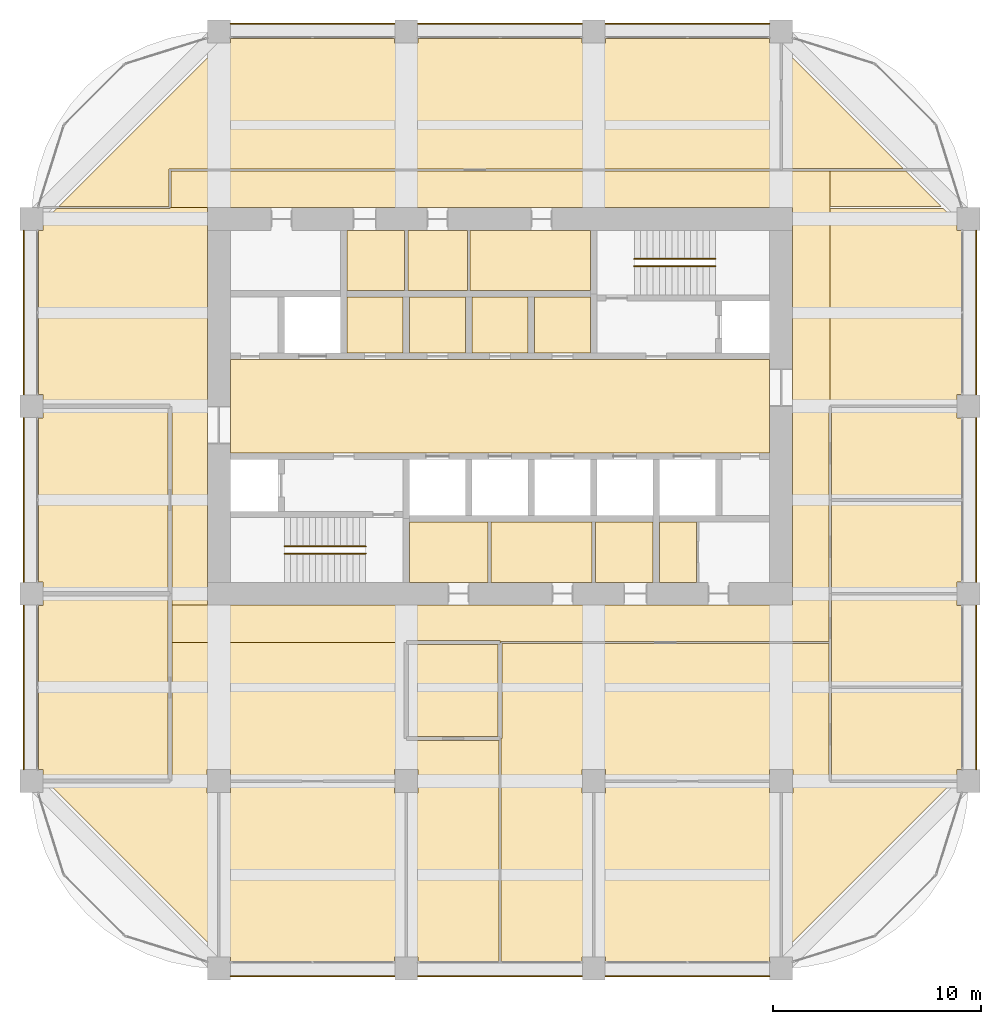
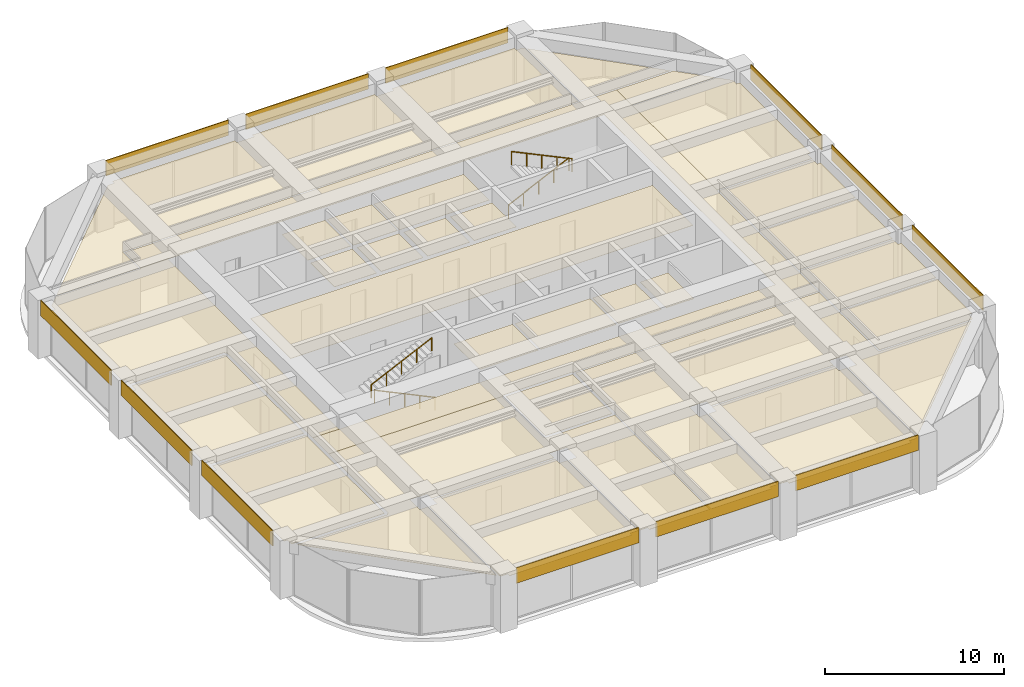
# One storey, part 44 of 44: 41 coverings, 4 railings.
"""IFC4 building model written with IfcOpenShell, lengths in metres."""

import ifcopenshell
import ifcopenshell.guid

model = None  # the IFC model being written
_history = None  # IfcOwnerHistory: only IFC2X3 demands one
_inside = {}  # id of a spatial element -> (the spatial element, [elements in it])
_under = {}  # id of a project, library or spatial element -> (it, [spatial elements below it])
_declared = {}  # id of a project -> (the project, [libraries it declares])
_typed = {}  # id of a type object -> (the type object, [elements of that type])
_made_of = {}  # id of a material, layer set ... -> (it, [elements and type objects made of it])


def new_model(schema):
    """Start an empty IFC model of exactly this schema.

    Asked for "IFC4X3", IfcOpenShell would pick the latest addendum, in which some entities
    have other attributes; the version numbers below select the first issue.
    IFC2X3 requires an IfcOwnerHistory on every rooted entity: one is made here for all.
    """
    global model, _history
    if schema == "IFC4X3":
        model = ifcopenshell.file(schema_version=(4, 3, 0, 0))
    else:
        model = ifcopenshell.file(schema=schema)
    _inside.clear()
    _under.clear()
    _declared.clear()
    _typed.clear()
    _made_of.clear()
    _history = None
    if model.schema == "IFC2X3":
        org = make("IfcOrganization", Name="unknown")
        user = make(
            "IfcPersonAndOrganization",
            ThePerson=make("IfcPerson", FamilyName="unknown"),
            TheOrganization=org,
        )
        app = make(
            "IfcApplication",
            ApplicationDeveloper=org,
            Version="unknown",
            ApplicationFullName="unknown",
            ApplicationIdentifier="unknown",
        )
        _history = make(
            "IfcOwnerHistory",
            OwningUser=user,
            OwningApplication=app,
            ChangeAction="ADDED",
            CreationDate=0,
        )
    return model


def make(cls, **values):
    """One entity of the class cls with the attributes given. An attribute that is None is left unset."""
    return model.create_entity(
        cls, **{name: value for name, value in values.items() if value is not None}
    )


def rooted(cls, **values):
    """An entity with a GlobalId (a new one), such as an element, a storey or a relation."""
    return make(cls, GlobalId=ifcopenshell.guid.new(), OwnerHistory=_history, **values)


def si_unit(unit_type, name, prefix=None):
    """IfcSIUnit, for example si_unit("LENGTHUNIT", "METRE", prefix="MILLI")."""
    return make("IfcSIUnit", UnitType=unit_type, Prefix=prefix, Name=name)


def assignment(units):
    """IfcUnitAssignment: the units of a project."""
    return None if units is None else make("IfcUnitAssignment", Units=units)


def point(xyz):
    """IfcCartesianPoint."""
    return None if xyz is None else make("IfcCartesianPoint", Coordinates=xyz)


def direction(xyz):
    """IfcDirection."""
    return None if xyz is None else make("IfcDirection", DirectionRatios=xyz)


def frame(location, z_axis=None, x_axis=None):
    """IfcAxis2Placement3D, a coordinate frame: its origin and axes. An axis left out is left unset."""
    return make(
        "IfcAxis2Placement3D",
        Location=point(location),
        Axis=direction(z_axis),
        RefDirection=direction(x_axis),
    )


def frame_2d(location, x_axis=None):
    """IfcAxis2Placement2D, a coordinate frame in the plane: its origin and x axis."""
    return make(
        "IfcAxis2Placement2D", Location=point(location), RefDirection=direction(x_axis)
    )


def origin():
    """The frame at (0, 0, 0) with its axes left unset."""
    return frame((0.0, 0.0, 0.0))


def origin_2d():
    """The frame at (0, 0) in the plane with its x axis left unset."""
    return frame_2d((0.0, 0.0))


def place(relative_to, where):
    """IfcLocalPlacement: puts the frame where relative to a parent placement (None: the world)."""
    return make(
        "IfcLocalPlacement", PlacementRelTo=relative_to, RelativePlacement=where
    )


def context(
    kind, dimensions, precision=None, world=None, true_north=None, identifier=None
):
    """IfcGeometricRepresentationContext, for example the 3D "Model" context."""
    return make(
        "IfcGeometricRepresentationContext",
        ContextIdentifier=identifier,
        ContextType=kind,
        CoordinateSpaceDimension=dimensions,
        Precision=precision,
        WorldCoordinateSystem=world,
        TrueNorth=true_north,
    )


def subcontext(parent, identifier, kind, view, scale=None):
    """IfcGeometricRepresentationSubContext, for example "Body" below "Model"."""
    return make(
        "IfcGeometricRepresentationSubContext",
        ContextIdentifier=identifier,
        ContextType=kind,
        ParentContext=parent,
        TargetScale=scale,
        TargetView=view,
    )


def project(units=None, contexts=None):
    """IfcProject with its units and contexts."""
    return rooted(
        "IfcProject",
        Name="project",
        RepresentationContexts=contexts,
        UnitsInContext=assignment(units),
    )


def spatial(cls, under=None, at=None, **own):
    """A site, building, storey or space (cls), placed at a placement, below another one or the project."""
    s = rooted(cls, ObjectPlacement=at, **own)
    if under is not None:
        _under.setdefault(under.id(), (under, []))[1].append(s)
    return s


def polyline(points):
    """IfcPolyline through the points."""
    return make("IfcPolyline", Points=[point(p) for p in points])


def profile(cls, at=None, kind="AREA", **sizes):
    """A parametric profile (cls). Its sizes go by their IFC names, for example OverallWidth=200.0."""
    return make(cls, ProfileType=kind, Position=at, **sizes)


def rectangle(**sizes):
    """IfcRectangleProfileDef."""
    return profile("IfcRectangleProfileDef", **sizes)


def circle(**sizes):
    """IfcCircleProfileDef."""
    return profile("IfcCircleProfileDef", **sizes)


def outline(outer, holes=None, kind="AREA"):
    """IfcArbitraryClosedProfileDef: a profile drawn as a closed curve; with holes, ...WithVoids."""
    if holes is None:
        return make("IfcArbitraryClosedProfileDef", ProfileType=kind, OuterCurve=outer)
    return make(
        "IfcArbitraryProfileDefWithVoids",
        ProfileType=kind,
        OuterCurve=outer,
        InnerCurves=holes,
    )


def extrude(swept, where, along, depth):
    """IfcExtrudedAreaSolid: the profile swept, set in the frame where, extruded along a direction by depth."""
    return make(
        "IfcExtrudedAreaSolid",
        SweptArea=swept,
        Position=where,
        ExtrudedDirection=direction(along),
        Depth=depth,
    )


def shape(context_of_items, identifier, shape_type, items):
    """IfcShapeRepresentation: the items that make up one representation, for example the "Body"."""
    return make(
        "IfcShapeRepresentation",
        ContextOfItems=context_of_items,
        RepresentationIdentifier=identifier,
        RepresentationType=shape_type,
        Items=items,
    )


def material(Name=None, Category=None):
    """IfcMaterial."""
    return make("IfcMaterial", Name=Name, Category=Category)


def layer(
    of_material, thickness, ventilated=None, Name=None, Category=None, Priority=None
):
    """IfcMaterialLayer: one layer of a wall or slab, of a material (None: an air gap)."""
    return make(
        "IfcMaterialLayer",
        Material=of_material,
        LayerThickness=thickness,
        IsVentilated=ventilated,
        Name=Name,
        Category=Category,
        Priority=Priority,
    )


def layer_set(layers, Name=None):
    """IfcMaterialLayerSet."""
    return make("IfcMaterialLayerSet", MaterialLayers=layers, LayerSetName=Name)


def made_of(thing, what):
    """Note that an element or type object is made of a material, layer set ...; save() writes the relation."""
    if what is not None:
        _made_of.setdefault(what.id(), (what, []))[1].append(thing)
    return thing


def type_object(cls, material=None, **own):
    """A type object (cls), such as IfcWallType, which elements share."""
    return made_of(rooted(cls, **own), material)


def element(
    cls,
    number,
    at=None,
    inside=None,
    cuts=None,
    type_object=None,
    material=None,
    context=None,
    identifier="Body",
    shape_type=None,
    held_by="IfcProductDefinitionShape",
    body=None,
    shapes=None,
    **own,
):
    """One element of the class cls, such as IfcWall. Its Tag is "e" and its number.

    at: its placement. inside: the storey or other place that contains it. cuts: it is an
    opening in that element (IfcRelVoidsElement). A single representation is given by context,
    identifier, shape_type and body (its items); several are given by shapes. held_by: the class
    of the entity that holds the representations. save() writes the other relations.
    """
    e = rooted(cls, Tag="e%d" % number, ObjectPlacement=at, **own)
    if body is not None:
        shapes = [shape(context, identifier, shape_type, body)]
    if shapes is not None:
        e.Representation = make(held_by, Representations=shapes)
    if inside is not None:
        _inside.setdefault(inside.id(), (inside, []))[1].append(e)
    if cuts is not None:
        rooted(
            "IfcRelVoidsElement", RelatingBuildingElement=cuts, RelatedOpeningElement=e
        )
    if type_object is not None:
        _typed.setdefault(type_object.id(), (type_object, []))[1].append(e)
    return made_of(e, material)


def aggregate(whole, parts):
    """IfcRelAggregates: a whole, such as a stair, and the parts it consists of."""
    return rooted("IfcRelAggregates", RelatingObject=whole, RelatedObjects=parts)


def save(model, path):
    """Write the relations noted so far, then the file.

    IfcRelAggregates (storeys below a building ...), IfcRelContainedInSpatialStructure (elements
    in a storey), IfcRelDefinesByType, IfcRelAssociatesMaterial and IfcRelDeclares: one each for
    every whole, place, type object, material and project.
    """
    for whole, parts in _under.values():
        aggregate(whole, parts)
    for where, things in _inside.values():
        rooted(
            "IfcRelContainedInSpatialStructure",
            RelatedElements=things,
            RelatingStructure=where,
        )
    for kind, things in _typed.values():
        rooted("IfcRelDefinesByType", RelatedObjects=things, RelatingType=kind)
    for what, things in _made_of.values():
        rooted("IfcRelAssociatesMaterial", RelatedObjects=things, RelatingMaterial=what)
    for by, libraries in _declared.values():
        rooted("IfcRelDeclares", RelatingContext=by, RelatedDefinitions=libraries)
    model.write(path)


model = new_model("IFC4")

# Units and contexts
model_context = context("Model", 3, precision=1e-05, world=origin(), true_north=direction((0.0, 1.0)))
body_context = subcontext(model_context, "Body", "Model", "MODEL_VIEW")
ifc_project = project(units=[si_unit("LENGTHUNIT", "METRE"), si_unit("AREAUNIT", "SQUARE_METRE"), si_unit("VOLUMEUNIT", "CUBIC_METRE"), si_unit("PLANEANGLEUNIT", "RADIAN"), si_unit("MASSUNIT", "GRAM", prefix="KILO")], contexts=[model_context])

# Site, building, storey
site_placement = place(None, origin())
site = spatial("IfcSite", under=ifc_project, at=site_placement, CompositionType="ELEMENT")
building_placement = place(site_placement, origin())
building = spatial("IfcBuilding", under=site, at=building_placement, Name="Zorevar Civic Tower", CompositionType="ELEMENT")
storey_placement = place(building_placement, frame((0.0, 0.0, 267.39990234375)))
storey = spatial("IfcBuildingStorey", under=building, at=storey_placement, Name="L65", CompositionType="ELEMENT", Elevation=267.39990234375)

# Railings
ifc_material_1 = material(Name="Black steel handrail", Category="steel")
railing_type = type_object("IfcRailingType", Name="Handrail HR1 900", PredefinedType="HANDRAIL", material=ifc_material_1)
railing_1_placement = place(storey_placement, frame((25.050048828125, 19.925048828125, 0.14306640625)))
element("IfcRailing", 1, at=railing_1_placement, inside=storey, type_object=railing_type, Name="Handrail HR1 ST1 L65", PredefinedType="HANDRAIL", context=body_context, shape_type="SweptSolid", body=[
    extrude(circle(Radius=0.02392578125, at=origin_2d()), frame((0.0, 0.0, 0.8759765625), z_axis=(-0.902885590262, 0.0, 0.429880926418), x_axis=(0.0, -1.0, 0.0)), (0.0, 0.0, 1.0), 4.319580078125),
    extrude(circle(Radius=0.02099609375, at=origin_2d()), origin(), (0.0, 0.0, 1.0), 0.851806640625),
    extrude(circle(Radius=0.02099609375, at=origin_2d()), frame((-0.97509765625, 0.0, 0.46435546875)), (0.0, 0.0, 1.0), 0.851806640625),
    extrude(circle(Radius=0.02099609375, at=origin_2d()), frame((-1.9501953125, 0.0, 0.928466796875)), (0.0, 0.0, 1.0), 0.851806640625),
    extrude(circle(Radius=0.02099609375, at=origin_2d()), frame((-2.925048828125, 0.0, 1.392578125)), (0.0, 0.0, 1.0), 0.851806640625),
    extrude(circle(Radius=0.02099609375, at=origin_2d()), frame((-3.900146484375, 0.0, 1.85693359375)), (0.0, 0.0, 1.0), 0.851806640625),
])
for number, where, name in (
    (2, (21.14990234375, 20.27490234375, 2.14306640625), "Handrail HR1 ST1 L65"),
    (3, (37.949951171875, 34.074951171875, 0.14306640625), "Handrail HR1 ST2 L65"),
):
    element("IfcRailing", number, at=place(storey_placement, frame(where)), inside=storey, type_object=railing_type, Name=name, PredefinedType="HANDRAIL", context=body_context, shape_type="SweptSolid", body=[
        extrude(circle(Radius=0.02392578125, at=origin_2d()), frame((0.0, 0.0, 0.8759765625), z_axis=(0.902885590262, 0.0, 0.429880926418), x_axis=(0.0, 1.0, 0.0)), (0.0, 0.0, 1.0), 4.319580078125),
        extrude(circle(Radius=0.02099609375, at=origin_2d()), origin(), (0.0, 0.0, 1.0), 0.851806640625),
        extrude(circle(Radius=0.02099609375, at=origin_2d()), frame((0.97509765625, 0.0, 0.46435546875)), (0.0, 0.0, 1.0), 0.851806640625),
        extrude(circle(Radius=0.02099609375, at=origin_2d()), frame((1.9501953125, 0.0, 0.928466796875)), (0.0, 0.0, 1.0), 0.851806640625),
        extrude(circle(Radius=0.02099609375, at=origin_2d()), frame((2.925048828125, 0.0, 1.392578125)), (0.0, 0.0, 1.0), 0.851806640625),
        extrude(circle(Radius=0.02099609375, at=origin_2d()), frame((3.900146484375, 0.0, 1.85693359375)), (0.0, 0.0, 1.0), 0.851806640625),
    ])
railing_2_placement = place(storey_placement, frame((41.85009765625, 33.72509765625, 2.14306640625)))
element("IfcRailing", 4, at=railing_2_placement, inside=storey, type_object=railing_type, Name="Handrail HR1 ST2 L65", PredefinedType="HANDRAIL", context=body_context, shape_type="SweptSolid", body=[
    extrude(circle(Radius=0.02392578125, at=origin_2d()), frame((0.0, 0.0, 0.8759765625), z_axis=(-0.902885590262, 0.0, 0.429880926418), x_axis=(0.0, -1.0, 0.0)), (0.0, 0.0, 1.0), 4.319580078125),
    extrude(circle(Radius=0.02099609375, at=origin_2d()), origin(), (0.0, 0.0, 1.0), 0.851806640625),
    extrude(circle(Radius=0.02099609375, at=origin_2d()), frame((-0.97509765625, 0.0, 0.46435546875)), (0.0, 0.0, 1.0), 0.851806640625),
    extrude(circle(Radius=0.02099609375, at=origin_2d()), frame((-1.9501953125, 0.0, 0.928466796875)), (0.0, 0.0, 1.0), 0.851806640625),
    extrude(circle(Radius=0.02099609375, at=origin_2d()), frame((-2.925048828125, 0.0, 1.392578125)), (0.0, 0.0, 1.0), 0.851806640625),
    extrude(circle(Radius=0.02099609375, at=origin_2d()), frame((-3.900146484375, 0.0, 1.85693359375)), (0.0, 0.0, 1.0), 0.851806640625),
])

# Coverings
ifc_material_2 = material(Name="Moisture-resistant gypsum board")
ifc_layer_1 = layer(ifc_material_2, 0.012451171875)
ifc_layer_set_1 = layer_set([ifc_layer_1], Name="Moisture-resistant ceiling SC3")
covering_type_1 = type_object("IfcCoveringType", Name="Moisture-resistant ceiling SC3", PredefinedType="CEILING", material=ifc_layer_set_1)
covering_1_placement = place(storey_placement, frame((0.0, 0.0, 3.0)))
element("IfcCovering", 5, at=covering_1_placement, inside=storey, type_object=covering_type_1, Name="Ceiling L65-05", PredefinedType="CEILING", context=body_context, shape_type="SweptSolid", body=[
    extrude(outline(polyline([(30.925048828125, 18.550048828125), (30.925048828125, 21.449951171875), (27.14990234375, 21.449951171875), (27.14990234375, 18.550048828125), (30.925048828125, 18.550048828125)])), origin(), (0.0, 0.0, 1.0), 0.0126953125),
])
covering_2_placement = place(storey_placement, frame((0.0, 0.0, 3.0)))
element("IfcCovering", 6, at=covering_2_placement, inside=storey, type_object=covering_type_1, Name="Ceiling L65-06", PredefinedType="CEILING", context=body_context, shape_type="SweptSolid", body=[
    extrude(outline(polyline([(35.925048828125, 18.550048828125), (35.925048828125, 21.449951171875), (31.074951171875, 21.449951171875), (31.074951171875, 18.550048828125), (35.925048828125, 18.550048828125)])), origin(), (0.0, 0.0, 1.0), 0.0126953125),
])
covering_3_placement = place(storey_placement, frame((0.0, 0.0, 3.0)))
element("IfcCovering", 7, at=covering_3_placement, inside=storey, type_object=covering_type_1, Name="Ceiling L65-07", PredefinedType="CEILING", context=body_context, shape_type="SweptSolid", body=[
    extrude(outline(polyline([(38.85009765625, 18.550048828125), (38.85009765625, 21.449951171875), (36.074951171875, 21.449951171875), (36.074951171875, 18.550048828125), (38.85009765625, 18.550048828125)])), origin(), (0.0, 0.0, 1.0), 0.0126953125),
])
covering_4_placement = place(storey_placement, frame((0.0, 0.0, 3.0)))
element("IfcCovering", 8, at=covering_4_placement, inside=storey, type_object=covering_type_1, Name="Ceiling L65-10", PredefinedType="CEILING", context=body_context, shape_type="SweptSolid", body=[
    extrude(outline(polyline([(26.925048828125, 32.550048828125), (26.925048828125, 35.449951171875), (24.14990234375, 35.449951171875), (24.14990234375, 32.550048828125), (26.925048828125, 32.550048828125)])), origin(), (0.0, 0.0, 1.0), 0.0126953125),
])
ifc_material_3 = material(Name="Black anodised aluminium spandrel panel", Category="aluminium")
ifc_layer_2 = layer(ifc_material_3, 0.050048828125)
ifc_layer_set_2 = layer_set([ifc_layer_2], Name="Spandrel cladding SP1")
covering_type_2 = type_object("IfcCoveringType", Name="Spandrel cladding SP1", PredefinedType="CLADDING", material=ifc_layer_set_2)
for number, where, z_axis, x_axis, name in (
    (9, (18.550048828125, -0.375, 2.9501953125), (0.0, 0.0, 1.0), (1.0, 0.0, 0.0), "Spandrel cladding L66"),
    (10, (27.550048828125, -0.375, 2.9501953125), (0.0, 0.0, 1.0), (1.0, 0.0, 0.0), "Spandrel cladding L66"),
    (11, (36.550048828125, -0.375, 2.9501953125), (0.0, 0.0, 1.0), (1.0, 0.0, 0.0), "Spandrel cladding L66"),
    (12, (18.550048828125, 45.375, 2.9501953125), (0.0, 0.0, 1.0), (1.0, 0.0, 0.0), "Spandrel cladding L66"),
    (13, (27.550048828125, 45.375, 2.9501953125), (0.0, 0.0, 1.0), (1.0, 0.0, 0.0), "Spandrel cladding L66"),
    (14, (36.550048828125, 45.375, 2.9501953125), (0.0, 0.0, 1.0), (1.0, 0.0, 0.0), "Spandrel cladding L66"),
    (15, (8.625, 9.550048828125, 2.9501953125), (0.0, 0.0, 1.0), (0.0, 1.0, 0.0), "Spandrel cladding L66"),
    (16, (8.625, 18.550048828125, 2.9501953125), (0.0, 0.0, 1.0), (0.0, 1.0, 0.0), "Spandrel cladding L66"),
    (17, (8.625, 27.550048828125, 2.9501953125), (0.0, 0.0, 1.0), (0.0, 1.0, 0.0), "Spandrel cladding L66"),
    (18, (54.375, 9.550048828125, 2.9501953125), (0.0, 0.0, 1.0), (0.0, 1.0, 0.0), "Spandrel cladding L66"),
    (19, (54.375, 18.550048828125, 2.9501953125), (0.0, 0.0, 1.0), (0.0, 1.0, 0.0), "Spandrel cladding L66"),
    (20, (54.375, 27.550048828125, 2.9501953125), (0.0, 0.0, 1.0), (0.0, 1.0, 0.0), "Spandrel cladding L66"),
):
    element("IfcCovering", number, at=place(storey_placement, frame(where, z_axis=z_axis, x_axis=x_axis)), inside=storey, type_object=covering_type_2, Name=name, PredefinedType="CLADDING", context=body_context, shape_type="SweptSolid", body=[
        extrude(rectangle(XDim=7.89990234375, YDim=0.050048828125, at=frame_2d((3.949951171875, 0.0))), origin(), (0.0, 0.0, 1.0), 1.0498046875),
    ])
ifc_material_4 = material(Name="Mineral fibre tiles on a concealed grid")
ifc_layer_3 = layer(ifc_material_4, 0.02001953125)
ifc_layer_set_3 = layer_set([ifc_layer_3], Name="Suspended ceiling SC1")
covering_type_3 = type_object("IfcCoveringType", Name="Suspended ceiling SC1", PredefinedType="CEILING", material=ifc_layer_set_3)
covering_5_placement = place(storey_placement, frame((0.0, 0.0, 3.0)))
element("IfcCovering", 21, at=covering_5_placement, inside=storey, type_object=covering_type_3, Name="Ceiling L65-08", PredefinedType="CEILING", context=body_context, shape_type="SweptSolid", body=[
    extrude(outline(polyline([(35.85009765625, 32.550048828125), (35.85009765625, 35.449951171875), (30.06005859375, 35.449951171875), (30.06005859375, 32.550048828125), (35.85009765625, 32.550048828125)])), origin(), (0.0, 0.0, 1.0), 0.02001953125),
])
covering_6_placement = place(storey_placement, frame((0.0, 0.0, 3.0)))
element("IfcCovering", 22, at=covering_6_placement, inside=storey, type_object=covering_type_3, Name="Ceiling L65-09", PredefinedType="CEILING", context=body_context, shape_type="SweptSolid", body=[
    extrude(outline(polyline([(29.93994140625, 32.550048828125), (29.93994140625, 35.449951171875), (27.074951171875, 35.449951171875), (27.074951171875, 32.550048828125), (29.93994140625, 32.550048828125)])), origin(), (0.0, 0.0, 1.0), 0.02001953125),
])
covering_7_placement = place(storey_placement, frame((0.0, 0.0, 3.0)))
element("IfcCovering", 23, at=covering_7_placement, inside=storey, type_object=covering_type_3, Name="Ceiling L65-11", PredefinedType="CEILING", context=body_context, shape_type="SweptSolid", body=[
    extrude(outline(polyline([(40.93994140625, 18.550048828125), (40.93994140625, 21.449951171875), (39.14990234375, 21.449951171875), (39.14990234375, 18.550048828125), (40.93994140625, 18.550048828125)])), origin(), (0.0, 0.0, 1.0), 0.02001953125),
])
covering_8_placement = place(storey_placement, frame((0.0, 0.0, 3.0)))
element("IfcCovering", 24, at=covering_8_placement, inside=storey, type_object=covering_type_3, Name="Ceiling L65-16", PredefinedType="CEILING", context=body_context, shape_type="SweptSolid", body=[
    extrude(outline(polyline([(44.449951171875, 24.75), (44.449951171875, 29.25), (18.550048828125, 29.25), (18.550048828125, 24.75), (44.449951171875, 24.75)])), origin(), (0.0, 0.0, 1.0), 0.02001953125),
])
covering_9_placement = place(storey_placement, frame((0.0, 0.0, 3.0)))
element("IfcCovering", 25, at=covering_9_placement, inside=storey, type_object=covering_type_3, Name="Ceiling L65-17", PredefinedType="CEILING", context=body_context, shape_type="SweptSolid", body=[
    extrude(outline(polyline([(35.85009765625, 29.550048828125), (35.85009765625, 32.25), (33.14990234375, 32.25), (33.14990234375, 29.550048828125), (35.85009765625, 29.550048828125)])), origin(), (0.0, 0.0, 1.0), 0.02001953125),
])
covering_10_placement = place(storey_placement, frame((0.0, 0.0, 3.0)))
element("IfcCovering", 26, at=covering_10_placement, inside=storey, type_object=covering_type_3, Name="Ceiling L65-18", PredefinedType="CEILING", context=body_context, shape_type="SweptSolid", body=[
    extrude(outline(polyline([(32.85009765625, 29.550048828125), (32.85009765625, 32.25), (30.14990234375, 32.25), (30.14990234375, 29.550048828125), (32.85009765625, 29.550048828125)])), origin(), (0.0, 0.0, 1.0), 0.02001953125),
])
covering_11_placement = place(storey_placement, frame((0.0, 0.0, 3.0)))
element("IfcCovering", 27, at=covering_11_placement, inside=storey, type_object=covering_type_3, Name="Ceiling L65-19", PredefinedType="CEILING", context=body_context, shape_type="SweptSolid", body=[
    extrude(outline(polyline([(29.85009765625, 29.550048828125), (29.85009765625, 32.25), (27.14990234375, 32.25), (27.14990234375, 29.550048828125), (29.85009765625, 29.550048828125)])), origin(), (0.0, 0.0, 1.0), 0.02001953125),
])
covering_12_placement = place(storey_placement, frame((0.0, 0.0, 3.0)))
element("IfcCovering", 28, at=covering_12_placement, inside=storey, type_object=covering_type_3, Name="Ceiling L65-20", PredefinedType="CEILING", context=body_context, shape_type="SweptSolid", body=[
    extrude(outline(polyline([(26.85009765625, 29.550048828125), (26.85009765625, 32.25), (24.14990234375, 32.25), (24.14990234375, 29.550048828125), (26.85009765625, 29.550048828125)])), origin(), (0.0, 0.0, 1.0), 0.02001953125),
])
covering_13_placement = place(storey_placement, frame((0.0, 0.0, 3.0)))
element("IfcCovering", 29, at=covering_13_placement, inside=storey, type_object=covering_type_3, Name="Ceiling L65-21", PredefinedType="CEILING", context=body_context, shape_type="SweptSolid", body=[
    extrude(outline(polyline([(18.06005859375, 8.43994140625), (18.56005859375, 8.43994140625), (18.56005859375, 8.93994140625), (26.43994140625, 8.93994140625), (26.43994140625, 8.43994140625), (26.93994140625, 8.43994140625), (26.93994140625, 0.56005859375), (26.43994140625, 0.56005859375), (26.43994140625, 0.35009765625), (18.56005859375, 0.35009765625), (18.56005859375, 0.56005859375), (18.147216796875, 0.56005859375), (18.06005859375, 0.647216796875), (18.06005859375, 8.43994140625)])), origin(), (0.0, 0.0, 1.0), 0.02001953125),
])
covering_14_placement = place(storey_placement, frame((0.0, 0.0, 3.0)))
element("IfcCovering", 30, at=covering_14_placement, inside=storey, type_object=covering_type_3, Name="Ceiling L65-22", PredefinedType="CEILING", context=body_context, shape_type="SweptSolid", body=[
    extrude(outline(polyline([(36.06005859375, 8.43994140625), (36.56005859375, 8.43994140625), (36.56005859375, 8.93994140625), (44.43994140625, 8.93994140625), (44.43994140625, 8.43994140625), (44.93994140625, 8.43994140625), (44.93994140625, 0.647216796875), (44.852783203125, 0.56005859375), (44.43994140625, 0.56005859375), (44.43994140625, 0.35009765625), (36.56005859375, 0.35009765625), (36.56005859375, 0.56005859375), (36.06005859375, 0.56005859375), (36.06005859375, 8.43994140625)])), origin(), (0.0, 0.0, 1.0), 0.02001953125),
])
covering_15_placement = place(storey_placement, frame((0.0, 0.0, 3.0)))
element("IfcCovering", 31, at=covering_15_placement, inside=storey, type_object=covering_type_3, Name="Ceiling L65-23", PredefinedType="CEILING", context=body_context, shape_type="SweptSolid", body=[
    extrude(outline(polyline([(9.35009765625, 9.56005859375), (9.35009765625, 17.43994140625), (9.56005859375, 17.43994140625), (9.56005859375, 17.89990234375), (15.550048828125, 17.89990234375), (15.550048828125, 9.10009765625), (9.607177734375, 9.10009765625), (9.56005859375, 9.147216796875), (9.56005859375, 9.56005859375), (9.35009765625, 9.56005859375)])), origin(), (0.0, 0.0, 1.0), 0.02001953125),
])
covering_16_placement = place(storey_placement, frame((0.0, 0.0, 3.0)))
element("IfcCovering", 32, at=covering_16_placement, inside=storey, type_object=covering_type_3, Name="Ceiling L65-24", PredefinedType="CEILING", context=body_context, shape_type="SweptSolid", body=[
    extrude(outline(polyline([(9.56005859375, 18.56005859375), (9.35009765625, 18.56005859375), (9.35009765625, 26.43994140625), (9.56005859375, 26.43994140625), (9.56005859375, 26.89990234375), (15.550048828125, 26.89990234375), (15.550048828125, 18.10009765625), (9.56005859375, 18.10009765625), (9.56005859375, 18.56005859375)])), origin(), (0.0, 0.0, 1.0), 0.02001953125),
])
covering_17_placement = place(storey_placement, frame((0.0, 0.0, 3.0)))
element("IfcCovering", 33, at=covering_17_placement, inside=storey, type_object=covering_type_3, Name="Ceiling L65-25", PredefinedType="CEILING", context=body_context, shape_type="SweptSolid", body=[
    extrude(outline(polyline([(53.64990234375, 13.43994140625), (53.64990234375, 9.56005859375), (53.43994140625, 9.56005859375), (53.43994140625, 9.147216796875), (53.352783203125, 9.06005859375), (47.409912109375, 9.06005859375), (47.409912109375, 13.43994140625), (53.64990234375, 13.43994140625)])), origin(), (0.0, 0.0, 1.0), 0.02001953125),
])
covering_18_placement = place(storey_placement, frame((0.0, 0.0, 3.0)))
element("IfcCovering", 34, at=covering_18_placement, inside=storey, type_object=covering_type_3, Name="Ceiling L65-26", PredefinedType="CEILING", context=body_context, shape_type="SweptSolid", body=[
    extrude(outline(polyline([(47.409912109375, 17.93994140625), (53.43994140625, 17.93994140625), (53.43994140625, 17.43994140625), (53.64990234375, 17.43994140625), (53.64990234375, 13.56005859375), (47.409912109375, 13.56005859375), (47.409912109375, 17.93994140625)])), origin(), (0.0, 0.0, 1.0), 0.02001953125),
])
covering_19_placement = place(storey_placement, frame((0.0, 0.0, 3.0)))
element("IfcCovering", 35, at=covering_19_placement, inside=storey, type_object=covering_type_3, Name="Ceiling L65-27", PredefinedType="CEILING", context=body_context, shape_type="SweptSolid", body=[
    extrude(outline(polyline([(47.409912109375, 22.43994140625), (53.64990234375, 22.43994140625), (53.64990234375, 18.56005859375), (53.43994140625, 18.56005859375), (53.43994140625, 18.06005859375), (47.409912109375, 18.06005859375), (47.409912109375, 22.43994140625)])), origin(), (0.0, 0.0, 1.0), 0.02001953125),
])
covering_20_placement = place(storey_placement, frame((0.0, 0.0, 3.0)))
element("IfcCovering", 36, at=covering_20_placement, inside=storey, type_object=covering_type_3, Name="Ceiling L65-28", PredefinedType="CEILING", context=body_context, shape_type="SweptSolid", body=[
    extrude(outline(polyline([(47.409912109375, 26.93994140625), (53.43994140625, 26.93994140625), (53.43994140625, 26.43994140625), (53.64990234375, 26.43994140625), (53.64990234375, 22.56005859375), (47.409912109375, 22.56005859375), (47.409912109375, 26.93994140625)])), origin(), (0.0, 0.0, 1.0), 0.02001953125),
])
covering_21_placement = place(storey_placement, frame((0.0, 0.0, 3.0)))
element("IfcCovering", 37, at=covering_21_placement, inside=storey, type_object=covering_type_3, Name="Ceiling L65-29", PredefinedType="CEILING", context=body_context, shape_type="SweptSolid", body=[
    extrude(outline(polyline([(27.10009765625, 11.14990234375), (27.10009765625, 15.550048828125), (31.39990234375, 15.550048828125), (31.39990234375, 11.14990234375), (27.10009765625, 11.14990234375)])), origin(), (0.0, 0.0, 1.0), 0.02001953125),
])
covering_22_placement = place(storey_placement, frame((0.0, 0.0, 3.0)))
element("IfcCovering", 38, at=covering_22_placement, inside=storey, type_object=covering_type_3, Name="Ceiling L65-30", PredefinedType="CEILING", context=body_context, shape_type="SweptSolid", body=[
    extrude(outline(polyline([(45.06005859375, 38.409912109375), (45.06005859375, 44.23291015625), (50.8828125, 38.409912109375), (45.06005859375, 38.409912109375)])), origin(), (0.0, 0.0, 1.0), 0.02001953125),
])
covering_23_placement = place(storey_placement, frame((0.0, 0.0, 3.0)))
element("IfcCovering", 39, at=covering_23_placement, inside=storey, type_object=covering_type_3, Name="Ceiling L65-31", PredefinedType="CEILING", context=body_context, shape_type="SweptSolid", body=[
    extrude(outline(polyline([(15.75, 17.449951171875), (45.550048828125, 17.449951171875), (45.550048828125, 36.550048828125), (15.699951171875, 36.550048828125), (15.699951171875, 38.300048828125), (45.0, 38.300048828125), (45.0, 38.2900390625), (47.35009765625, 38.2900390625), (47.35009765625, 27.0), (47.2900390625, 27.0), (47.2900390625, 15.699951171875), (31.550048828125, 15.699951171875), (31.550048828125, 15.64990234375), (31.5, 15.64990234375), (31.5, 15.75), (27.0, 15.75), (27.0, 15.64990234375), (15.75, 15.64990234375), (15.75, 17.449951171875)])), origin(), (0.0, 0.0, 1.0), 0.02001953125),
])
covering_24_placement = place(storey_placement, frame((0.0, 0.0, 3.0)))
element("IfcCovering", 40, at=covering_24_placement, inside=storey, type_object=covering_type_3, Name="Ceiling L65-32", PredefinedType="CEILING", context=body_context, shape_type="SweptSolid", body=[
    extrude(outline(polyline([(52.79296875, 36.5), (53.43994140625, 35.852783203125), (53.43994140625, 35.43994140625), (53.64990234375, 35.43994140625), (53.64990234375, 27.56005859375), (53.43994140625, 27.56005859375), (53.43994140625, 27.06005859375), (47.35009765625, 27.06005859375), (47.35009765625, 36.5), (52.79296875, 36.5)])), origin(), (0.0, 0.0, 1.0), 0.02001953125),
])
covering_25_placement = place(storey_placement, frame((0.0, 0.0, 3.0)))
element("IfcCovering", 41, at=covering_25_placement, inside=storey, type_object=covering_type_3, Name="Ceiling L65-33", PredefinedType="CEILING", context=body_context, shape_type="SweptSolid", body=[
    extrude(outline(polyline([(18.56005859375, 44.43994140625), (18.56005859375, 44.64990234375), (26.43994140625, 44.64990234375), (26.43994140625, 44.43994140625), (27.56005859375, 44.43994140625), (27.56005859375, 44.64990234375), (35.43994140625, 44.64990234375), (35.43994140625, 44.43994140625), (36.56005859375, 44.43994140625), (36.56005859375, 44.64990234375), (44.43994140625, 44.64990234375), (44.43994140625, 44.43994140625), (44.852783203125, 44.43994140625), (44.93994140625, 44.352783203125), (44.93994140625, 38.39990234375), (15.60009765625, 38.39990234375), (15.60009765625, 36.60009765625), (10.30712890625, 36.60009765625), (18.147216796875, 44.43994140625), (18.56005859375, 44.43994140625)])), origin(), (0.0, 0.0, 1.0), 0.02001953125),
])
covering_26_placement = place(storey_placement, frame((0.0, 0.0, 3.0)))
element("IfcCovering", 42, at=covering_26_placement, inside=storey, type_object=covering_type_3, Name="Ceiling L65-34", PredefinedType="CEILING", context=body_context, shape_type="SweptSolid", body=[
    extrude(outline(polyline([(47.35009765625, 36.60009765625), (47.35009765625, 38.2900390625), (51.0029296875, 38.2900390625), (52.69287109375, 36.60009765625), (47.35009765625, 36.60009765625)])), origin(), (0.0, 0.0, 1.0), 0.02001953125),
])
covering_27_placement = place(storey_placement, frame((0.0, 0.0, 3.0)))
element("IfcCovering", 43, at=covering_27_placement, inside=storey, type_object=covering_type_3, Name="Ceiling L65-35", PredefinedType="CEILING", context=body_context, shape_type="SweptSolid", body=[
    extrude(outline(polyline([(15.64990234375, 8.89990234375), (15.64990234375, 9.0), (15.75, 9.0), (15.75, 15.64990234375), (26.89990234375, 15.64990234375), (26.89990234375, 11.050048828125), (27.0, 11.050048828125), (27.0, 10.949951171875), (31.449951171875, 10.949951171875), (31.449951171875, 0.35009765625), (27.56005859375, 0.35009765625), (27.56005859375, 0.56005859375), (27.06005859375, 0.56005859375), (27.06005859375, 8.43994140625), (27.56005859375, 8.43994140625), (27.56005859375, 9.56005859375), (26.43994140625, 9.56005859375), (26.43994140625, 9.06005859375), (18.56005859375, 9.06005859375), (18.56005859375, 9.56005859375), (17.43994140625, 9.56005859375), (17.43994140625, 8.43994140625), (17.93994140625, 8.43994140625), (17.93994140625, 0.76708984375), (9.80712890625, 8.89990234375), (15.64990234375, 8.89990234375)])), origin(), (0.0, 0.0, 1.0), 0.02001953125),
])
covering_28_placement = place(storey_placement, frame((0.0, 0.0, 3.0)))
element("IfcCovering", 44, at=covering_28_placement, inside=storey, type_object=covering_type_3, Name="Ceiling L65-36", PredefinedType="CEILING", context=body_context, shape_type="SweptSolid", body=[
    extrude(outline(polyline([(45.06005859375, 8.43994140625), (45.56005859375, 8.43994140625), (45.56005859375, 9.56005859375), (44.43994140625, 9.56005859375), (44.43994140625, 9.06005859375), (36.56005859375, 9.06005859375), (36.56005859375, 9.56005859375), (35.43994140625, 9.56005859375), (35.43994140625, 8.43994140625), (35.93994140625, 8.43994140625), (35.93994140625, 0.56005859375), (35.43994140625, 0.56005859375), (35.43994140625, 0.35009765625), (31.550048828125, 0.35009765625), (31.550048828125, 11.050048828125), (31.60009765625, 11.050048828125), (31.60009765625, 15.60009765625), (47.2900390625, 15.60009765625), (47.2900390625, 9.0), (47.35009765625, 9.0), (47.35009765625, 8.93994140625), (53.23291015625, 8.93994140625), (45.06005859375, 0.76708984375), (45.06005859375, 8.43994140625)])), origin(), (0.0, 0.0, 1.0), 0.02001953125),
])
covering_29_placement = place(storey_placement, frame((0.0, 0.0, 3.0)))
element("IfcCovering", 45, at=covering_29_placement, inside=storey, type_object=covering_type_3, Name="Ceiling L65-37", PredefinedType="CEILING", context=body_context, shape_type="SweptSolid", body=[
    extrude(outline(polyline([(9.56005859375, 27.56005859375), (9.35009765625, 27.56005859375), (9.35009765625, 35.43994140625), (9.56005859375, 35.43994140625), (9.56005859375, 35.852783203125), (10.20703125, 36.5), (15.64990234375, 36.5), (15.64990234375, 36.550048828125), (17.449951171875, 36.550048828125), (17.449951171875, 17.449951171875), (15.75, 17.449951171875), (15.75, 27.0), (15.64990234375, 27.0), (15.64990234375, 27.10009765625), (9.56005859375, 27.10009765625), (9.56005859375, 27.56005859375)])), origin(), (0.0, 0.0, 1.0), 0.02001953125),
])

save(model, "model.ifc")
